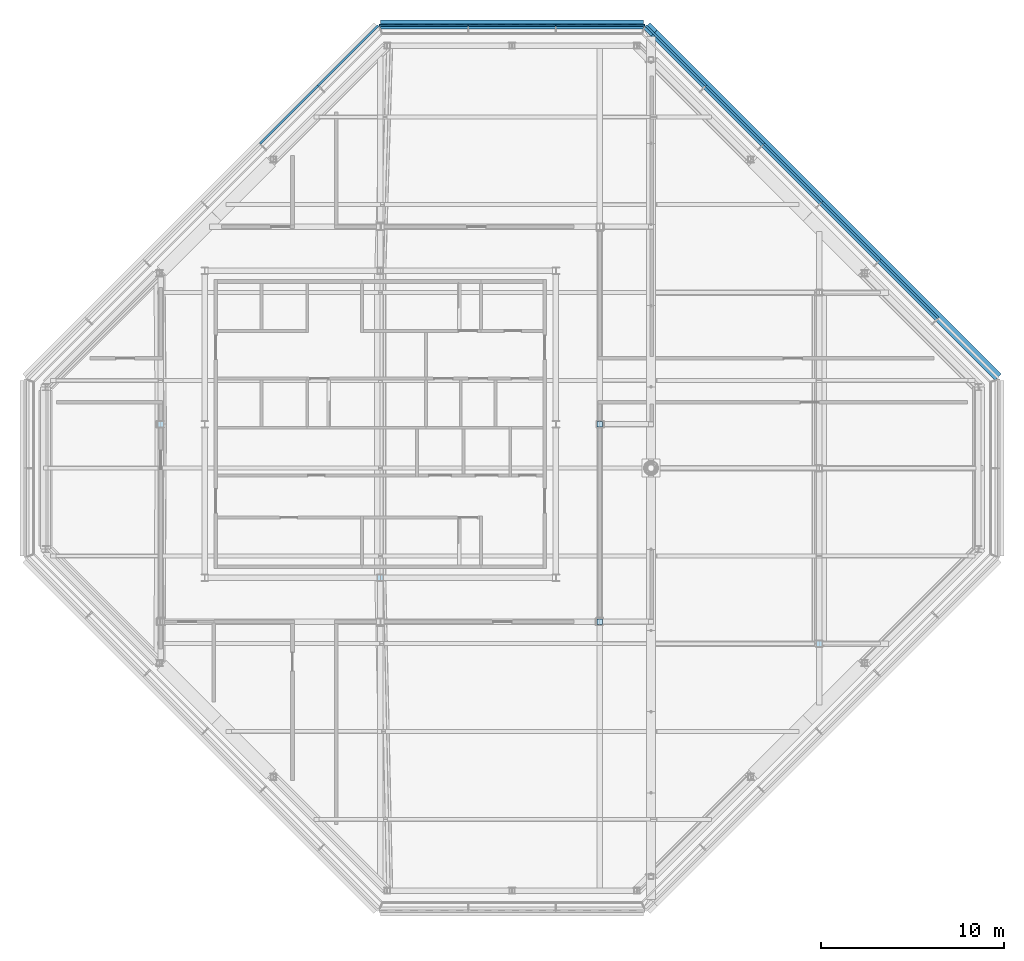
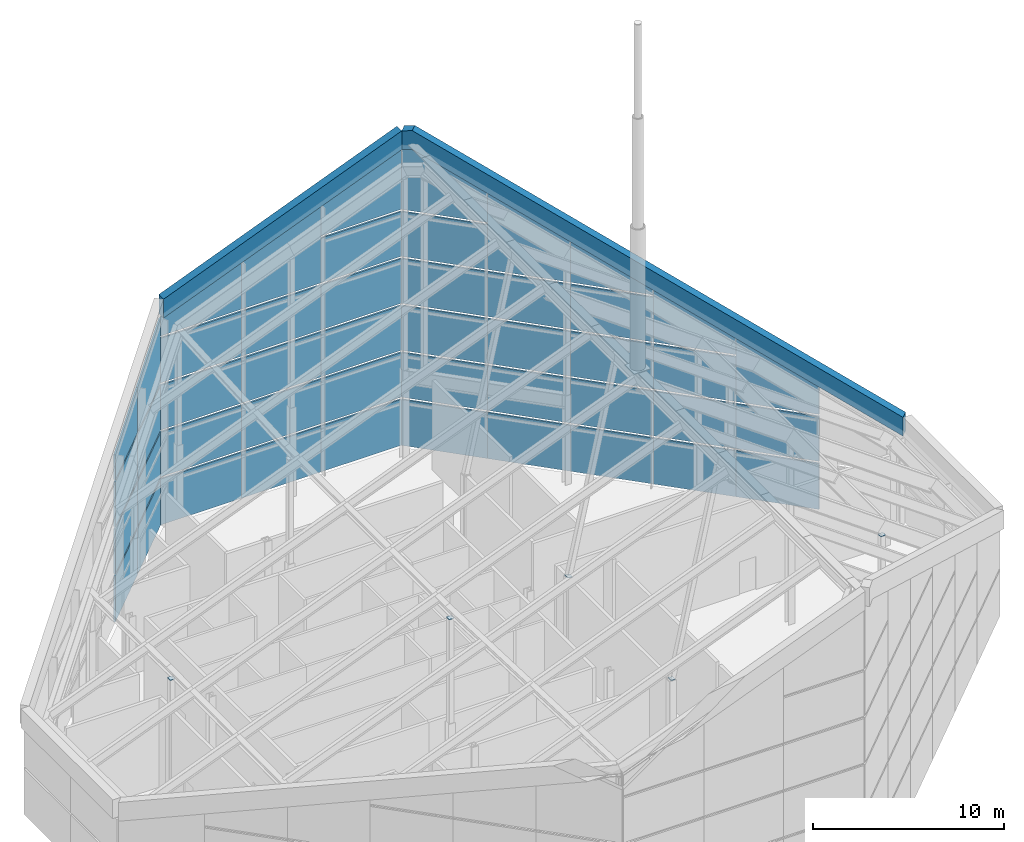
# One storey, part 15 of 21: 54 plates, 3 elements without a shape of their own.
"""IFC4 building model written with IfcOpenShell, lengths in metres."""

from ifc_helpers import new_model, si_unit, direction, frame, origin, origin_2d, place, context, subcontext, project, spatial, polyline, rectangle, outline, extrude, material, layer, layer_set, material_profile, profile_set, type_object, element, aggregate, save


model = new_model("IFC4")

# Units and contexts
model_context = context("Model", 3, precision=1e-05, world=origin(), true_north=direction((0.0, 1.0)))
body_context = subcontext(model_context, "Body", "Model", "MODEL_VIEW")
ifc_project = project(units=[si_unit("LENGTHUNIT", "METRE"), si_unit("AREAUNIT", "SQUARE_METRE"), si_unit("VOLUMEUNIT", "CUBIC_METRE"), si_unit("PLANEANGLEUNIT", "RADIAN"), si_unit("MASSUNIT", "GRAM", prefix="KILO")], contexts=[model_context])

# Site, building, storey
site_placement = place(None, origin())
site = spatial("IfcSite", under=ifc_project, at=site_placement, CompositionType="ELEMENT")
building_placement = place(site_placement, origin())
building = spatial("IfcBuilding", under=site, at=building_placement, Name="Cairn Pilgrim Tower", CompositionType="ELEMENT")
storey_placement = place(building_placement, frame((0.0, 0.0, 295.800048828125)))
storey = spatial("IfcBuildingStorey", under=building, at=storey_placement, Name="L76", CompositionType="ELEMENT", Elevation=295.800048828125)

# Plates
ifc_material_1 = material(Name="Bronze anodised aluminium", Category="aluminium")
ifc_layer_1 = layer(ifc_material_1, 0.5)
ifc_layer_set_1 = layer_set([ifc_layer_1], Name="EAVES FASCIA 500x1200 BRONZE")
plate_type_1 = type_object("IfcPlateType", Name="EAVES FASCIA 500x1200 BRONZE", PredefinedType="SHEET", material=ifc_layer_set_1)
plate_1_placement = place(storey_placement, frame((40.976806640625, 4.976806640625, 5.630615234375), z_axis=(0.0, 0.0, 1.0), x_axis=(-0.707106781187, 0.707106781187, 0.0)))
element("IfcPlate", 1, at=plate_1_placement, inside=storey, type_object=plate_type_1, Name="Eaves fascia EF-4", PredefinedType="SHEET", context=body_context, shape_type="SweptSolid", body=[
    extrude(outline(polyline([(0.0, 0.0), (26.587158203125, 13.5), (27.15283203125, 13.3876953125), (27.15283203125, 14.587646484375), (26.587158203125, 14.699951171875), (0.0, 1.199951171875), (0.0, 0.0)])), frame((0.0, 0.25, 0.0), z_axis=(0.0, -1.0, 0.0), x_axis=(1.0, 0.0, 0.0)), (0.0, 0.0, 1.0), 0.5),
])
plate_2_placement = place(storey_placement, frame((21.60009765625, 24.25, 13.300537109375), z_axis=(0.0, 0.0, 1.0), x_axis=(-1.0, 0.0, 0.0)))
element("IfcPlate", 2, at=plate_2_placement, inside=storey, type_object=plate_type_1, Name="Eaves fascia EF-5", PredefinedType="SHEET", context=body_context, shape_type="SweptSolid", body=[
    extrude(outline(polyline([(0.0, 5.7177734375), (14.39990234375, 0.0), (14.39990234375, 1.2001953125), (0.0, 6.917724609375), (0.0, 5.7177734375)])), frame((0.0, 0.25, 0.0), z_axis=(0.0, -1.0, 0.0), x_axis=(1.0, 0.0, 0.0)), (0.0, 0.0, 1.0), 0.5),
])
ifc_material_2 = material(Name="Structural steel S460M", Category="steel")
ifc_material_profile = material_profile(ifc_material_2, rectangle(XDim=0.300048828125, YDim=0.300048828125, at=origin_2d()), Name="END PLATE CROWN POST RHS 300x300x16")
ifc_profile_set = profile_set([ifc_material_profile], Name="Structural steel S460M")
plate_type_2 = type_object("IfcPlateType", Name="END PLATE CROWN POST RHS 300x300x16", PredefinedType="SHEET", material=ifc_profile_set)
for number, where, z_axis, x_axis, name in (
    (3, (-4.800048828125, 2.39990234375, 7.567626953125), (0.0, 0.0, 1.0), (1.0, 0.0, 0.0), "EP-CP1"),
    (4, (7.199951171875, -6.0, 12.332275390625), (0.0, 0.0, 1.0), (1.0, 0.0, 0.0), "EP-CP1"),
    (5, (31.199951171875, -9.60009765625, 11.416259765625), (0.0, 0.0, 1.0), (1.0, 0.0, 0.0), "EP-CP1"),
    (6, (19.20703125, -8.39990234375, 5.731689453125), (-0.213696878805, 0.0, -0.976900017396), (0.0, -1.0, 0.0), "EP-CP1"),
    (7, (19.20703125, 2.39990234375, 5.731689453125), (-0.213696878805, 0.0, -0.976900017396), (0.0, -1.0, 0.0), "EP-CP1"),
):
    element("IfcPlate", number, at=place(storey_placement, frame(where, z_axis=z_axis, x_axis=x_axis)), inside=storey, type_object=plate_type_2, Name=name, PredefinedType="SHEET", context=body_context, shape_type="SweptSolid", body=[
        extrude(rectangle(XDim=0.300048828125, YDim=0.300048828125, at=origin_2d()), origin(), (0.0, 0.0, 1.0), 0.0400390625),
    ])

# Curtain wall, plates
ifc_material_3 = material(Name="Aluminium alloy 6063-T6 bronze anodised with Bronze tinted laminated low-E glass 8+16+8.8", Category="aluminium")
curtain_wall_type = type_object("IfcCurtainWallType", Name="CROWN LOUVRE CURTAIN WALL", PredefinedType="NOTDEFINED", material=ifc_material_3)
curtain_wall_1_placement = place(storey_placement, origin())
curtain_wall_1 = element("IfcCurtainWall", 8, at=curtain_wall_1_placement, inside=storey, type_object=curtain_wall_type, Name="Crown Louvre Curtain Wall NE", PredefinedType="NOTDEFINED")
ifc_material_4 = material(Name="Bronze anodised aluminium louvre blades", Category="aluminium")
ifc_layer_2 = layer(ifc_material_4, 0.10009765625)
ifc_layer_set_2 = layer_set([ifc_layer_2], Name="LOUVRE PANEL 4491 RAKING")
plate_type_3 = type_object("IfcPlateType", Name="LOUVRE PANEL 4491 RAKING", PredefinedType="CURTAIN_PANEL", material=ifc_layer_set_2)
plate_3_placement = place(storey_placement, frame((37.706787109375, 8.204345703125, 6.074951171875), z_axis=(0.0, 0.0, 1.0), x_axis=(-0.707106781187, 0.707106781187, 0.0)))
plate_3 = element("IfcPlate", 9, at=plate_3_placement, type_object=plate_type_3, Name="Louvre panel NE2-3", PredefinedType="CURTAIN_PANEL", context=body_context, shape_type="SweptSolid", body=[
    extrude(outline(polyline([(0.0, 0.0), (4.490966796875, 0.0), (4.490966796875, 4.03173828125), (3.849365234375, 3.7060546875), (3.207763671875, 3.38037109375), (2.56640625, 3.0546875), (1.9248046875, 2.728759765625), (1.283203125, 2.403076171875), (0.6416015625, 2.077392578125), (0.0, 1.75146484375), (0.0, 0.0)])), frame((0.0, 0.050048828125, 0.0), z_axis=(0.0, -1.0, 0.0), x_axis=(1.0, 0.0, 0.0)), (0.0, 0.0, 1.0), 0.10009765625),
])
plate_4_placement = place(storey_placement, frame((34.53125, 11.3798828125, 9.074951171875), z_axis=(0.0, 0.0, 1.0), x_axis=(-0.707106781187, 0.707106781187, 0.0)))
plate_4 = element("IfcPlate", 10, at=plate_4_placement, type_object=plate_type_3, Name="Louvre panel NE3-4", PredefinedType="CURTAIN_PANEL", context=body_context, shape_type="SweptSolid", body=[
    extrude(outline(polyline([(0.0, 0.0), (4.4912109375, 0.0), (4.490966796875, 3.312255859375), (3.849365234375, 2.986328125), (3.207763671875, 2.66064453125), (2.56640625, 2.3349609375), (1.9248046875, 2.009033203125), (1.283203125, 1.683349609375), (0.6416015625, 1.357666015625), (0.0, 1.03173828125), (0.0, 0.0)])), frame((0.0, 0.050048828125, 0.0), z_axis=(0.0, -1.0, 0.0), x_axis=(1.0, 0.0, 0.0)), (0.0, 0.0, 1.0), 0.10009765625),
])
plate_5_placement = place(storey_placement, frame((31.35546875, 14.5556640625, 12.074951171875), z_axis=(0.0, 0.0, 1.0), x_axis=(-0.707106781187, 0.707106781187, 0.0)))
plate_5 = element("IfcPlate", 11, at=plate_5_placement, type_object=plate_type_3, Name="Louvre panel NE4-5", PredefinedType="CURTAIN_PANEL", context=body_context, shape_type="SweptSolid", body=[
    extrude(outline(polyline([(0.0, 0.0), (4.490966796875, 0.0), (4.490966796875, 2.592529296875), (3.849365234375, 2.266845703125), (3.207763671875, 1.94091796875), (2.56640625, 1.615234375), (1.9248046875, 1.28955078125), (1.283203125, 0.963623046875), (0.6416015625, 0.637939453125), (0.0, 0.312255859375), (0.0, 0.0)])), frame((0.0, 0.050048828125, 0.0), z_axis=(0.0, -1.0, 0.0), x_axis=(1.0, 0.0, 0.0)), (0.0, 0.0, 1.0), 0.10009765625),
])
plate_6_placement = place(storey_placement, frame((28.179931640625, 17.731201171875, 12.074951171875), z_axis=(0.0, 0.0, 1.0), x_axis=(-0.707106781187, 0.707106781187, 0.0)))
plate_6 = element("IfcPlate", 12, at=plate_6_placement, type_object=plate_type_3, Name="Louvre panel NE5-5", PredefinedType="CURTAIN_PANEL", context=body_context, shape_type="SweptSolid", body=[
    extrude(outline(polyline([(0.0, 0.0), (4.490966796875, 0.0), (4.490966796875, 4.872802734375), (3.849365234375, 4.547119140625), (3.207763671875, 4.221435546875), (2.56640625, 3.8955078125), (1.9248046875, 3.56982421875), (1.283203125, 3.244140625), (0.6416015625, 2.918212890625), (0.0, 2.592529296875), (0.0, 0.0)])), frame((0.0, 0.050048828125, 0.0), z_axis=(0.0, -1.0, 0.0), x_axis=(1.0, 0.0, 0.0)), (0.0, 0.0, 1.0), 0.10009765625),
])

# Curtain wall, plate
curtain_wall_2_placement = place(storey_placement, origin())
curtain_wall_2 = element("IfcCurtainWall", 13, at=curtain_wall_2_placement, inside=storey, type_object=curtain_wall_type, Name="Crown Louvre Curtain Wall NW", PredefinedType="NOTDEFINED")
plate_7_placement = place(storey_placement, frame((3.795654296875, 20.90673828125, 9.074951171875), z_axis=(0.0, 0.0, 1.0), x_axis=(-0.707106781187, -0.707106781187, 0.0)))
plate_7 = element("IfcPlate", 14, at=plate_7_placement, type_object=plate_type_3, Name="Louvre panel NW2-4", PredefinedType="CURTAIN_PANEL", context=body_context, shape_type="SweptSolid", body=[
    extrude(outline(polyline([(0.0, 0.0), (4.490966796875, 0.0), (4.490966796875, 1.59912109375), (3.849365234375, 1.779296875), (3.207763671875, 1.959228515625), (2.56640625, 2.139404296875), (1.9248046875, 2.319580078125), (1.283203125, 2.499755859375), (0.6416015625, 2.679931640625), (0.0, 2.85986328125), (0.0, 0.0)])), frame((0.0, 0.050048828125, 0.0), z_axis=(0.0, -1.0, 0.0), x_axis=(1.0, 0.0, 0.0)), (0.0, 0.0, 1.0), 0.10009765625),
])

# Plate
ifc_layer_3 = layer(ifc_material_4, 0.10009765625)
ifc_layer_set_3 = layer_set([ifc_layer_3], Name="LOUVRE PANEL 4491x2850")
plate_type_4 = type_object("IfcPlateType", Name="LOUVRE PANEL 4491x2850", PredefinedType="CURTAIN_PANEL", material=ifc_layer_set_3)
plate_8_placement = place(storey_placement, frame((36.118896484375, 9.792236328125, 3.074951171875), z_axis=(0.0, 0.0, 1.0), x_axis=(-0.707106781187, 0.707106781187, 0.0)))
plate_8 = element("IfcPlate", 15, at=plate_8_placement, type_object=plate_type_4, Name="Louvre Panel NE2-2", PredefinedType="CURTAIN_PANEL", context=body_context, shape_type="SweptSolid", body=[
    extrude(rectangle(XDim=4.490966796875, YDim=0.10009765625, at=origin_2d()), origin(), (0.0, 0.0, 1.0), 2.85009765625),
])

plate_9_placement = place(storey_placement, frame((32.943359375, 12.9677734375, 3.074951171875), z_axis=(0.0, 0.0, 1.0), x_axis=(-0.707106781187, 0.707106781187, 0.0)))
plate_9 = element("IfcPlate", 16, at=plate_9_placement, type_object=plate_type_4, Name="Louvre Panel NE3-2", PredefinedType="CURTAIN_PANEL", context=body_context, shape_type="SweptSolid", body=[
    extrude(rectangle(XDim=4.490966796875, YDim=0.10009765625, at=origin_2d()), origin(), (0.0, 0.0, 1.0), 2.85009765625),
])

plate_10_placement = place(storey_placement, frame((32.943359375, 12.9677734375, 6.074951171875), z_axis=(0.0, 0.0, 1.0), x_axis=(-0.707106781187, 0.707106781187, 0.0)))
plate_10 = element("IfcPlate", 17, at=plate_10_placement, type_object=plate_type_4, Name="Louvre Panel NE3-3", PredefinedType="CURTAIN_PANEL", context=body_context, shape_type="SweptSolid", body=[
    extrude(rectangle(XDim=4.490966796875, YDim=0.10009765625, at=origin_2d()), origin(), (0.0, 0.0, 1.0), 2.85009765625),
])

plate_11_placement = place(storey_placement, frame((29.767822265625, 16.143310546875, 3.074951171875), z_axis=(0.0, 0.0, 1.0), x_axis=(-0.707106781187, 0.707106781187, 0.0)))
plate_11 = element("IfcPlate", 18, at=plate_11_placement, type_object=plate_type_4, Name="Louvre Panel NE4-2", PredefinedType="CURTAIN_PANEL", context=body_context, shape_type="SweptSolid", body=[
    extrude(rectangle(XDim=4.490966796875, YDim=0.10009765625, at=origin_2d()), origin(), (0.0, 0.0, 1.0), 2.85009765625),
])

plate_12_placement = place(storey_placement, frame((29.767822265625, 16.143310546875, 6.074951171875), z_axis=(0.0, 0.0, 1.0), x_axis=(-0.707106781187, 0.707106781187, 0.0)))
plate_12 = element("IfcPlate", 19, at=plate_12_placement, type_object=plate_type_4, Name="Louvre Panel NE4-3", PredefinedType="CURTAIN_PANEL", context=body_context, shape_type="SweptSolid", body=[
    extrude(rectangle(XDim=4.490966796875, YDim=0.10009765625, at=origin_2d()), origin(), (0.0, 0.0, 1.0), 2.85009765625),
])

plate_13_placement = place(storey_placement, frame((29.767822265625, 16.143310546875, 9.074951171875), z_axis=(0.0, 0.0, 1.0), x_axis=(-0.707106781187, 0.707106781187, 0.0)))
plate_13 = element("IfcPlate", 20, at=plate_13_placement, type_object=plate_type_4, Name="Louvre Panel NE4-4", PredefinedType="CURTAIN_PANEL", context=body_context, shape_type="SweptSolid", body=[
    extrude(rectangle(XDim=4.490966796875, YDim=0.10009765625, at=origin_2d()), origin(), (0.0, 0.0, 1.0), 2.85009765625),
])

plate_14_placement = place(storey_placement, frame((26.59228515625, 19.31884765625, 3.074951171875), z_axis=(0.0, 0.0, 1.0), x_axis=(-0.707106781187, 0.707106781187, 0.0)))
plate_14 = element("IfcPlate", 21, at=plate_14_placement, type_object=plate_type_4, Name="Louvre Panel NE5-2", PredefinedType="CURTAIN_PANEL", context=body_context, shape_type="SweptSolid", body=[
    extrude(rectangle(XDim=4.490966796875, YDim=0.10009765625, at=origin_2d()), origin(), (0.0, 0.0, 1.0), 2.85009765625),
])

plate_15_placement = place(storey_placement, frame((26.59228515625, 19.31884765625, 6.074951171875), z_axis=(0.0, 0.0, 1.0), x_axis=(-0.707106781187, 0.707106781187, 0.0)))
plate_15 = element("IfcPlate", 22, at=plate_15_placement, type_object=plate_type_4, Name="Louvre Panel NE5-3", PredefinedType="CURTAIN_PANEL", context=body_context, shape_type="SweptSolid", body=[
    extrude(rectangle(XDim=4.490966796875, YDim=0.10009765625, at=origin_2d()), origin(), (0.0, 0.0, 1.0), 2.85009765625),
])

plate_16_placement = place(storey_placement, frame((26.59228515625, 19.31884765625, 9.074951171875), z_axis=(0.0, 0.0, 1.0), x_axis=(-0.707106781187, 0.707106781187, 0.0)))
plate_16 = element("IfcPlate", 23, at=plate_16_placement, type_object=plate_type_4, Name="Louvre Panel NE5-4", PredefinedType="CURTAIN_PANEL", context=body_context, shape_type="SweptSolid", body=[
    extrude(rectangle(XDim=4.490966796875, YDim=0.10009765625, at=origin_2d()), origin(), (0.0, 0.0, 1.0), 2.85009765625),
])

plate_17_placement = place(storey_placement, frame((2.207763671875, 19.31884765625, 3.074951171875), z_axis=(0.0, 0.0, 1.0), x_axis=(-0.707106781187, -0.707106781187, 0.0)))
plate_17 = element("IfcPlate", 24, at=plate_17_placement, type_object=plate_type_4, Name="Louvre Panel NW2-2", PredefinedType="CURTAIN_PANEL", context=body_context, shape_type="SweptSolid", body=[
    extrude(rectangle(XDim=4.490966796875, YDim=0.10009765625, at=origin_2d()), origin(), (0.0, 0.0, 1.0), 2.85009765625),
])

plate_18_placement = place(storey_placement, frame((2.207763671875, 19.31884765625, 6.074951171875), z_axis=(0.0, 0.0, 1.0), x_axis=(-0.707106781187, -0.707106781187, 0.0)))
plate_18 = element("IfcPlate", 25, at=plate_18_placement, type_object=plate_type_4, Name="Louvre Panel NW2-3", PredefinedType="CURTAIN_PANEL", context=body_context, shape_type="SweptSolid", body=[
    extrude(rectangle(XDim=4.490966796875, YDim=0.10009765625, at=origin_2d()), origin(), (0.0, 0.0, 1.0), 2.85009765625),
])

ifc_layer_4 = layer(ifc_material_4, 0.10009765625)
ifc_layer_set_4 = layer_set([ifc_layer_4], Name="LOUVRE PANEL 4491x2925")
plate_type_5 = type_object("IfcPlateType", Name="LOUVRE PANEL 4491x2925", PredefinedType="CURTAIN_PANEL", material=ifc_layer_set_4)
plate_19_placement = place(storey_placement, frame((36.118896484375, 9.792236328125, 0.0), z_axis=(0.0, 0.0, 1.0), x_axis=(-0.707106781187, 0.707106781187, 0.0)))
plate_19 = element("IfcPlate", 26, at=plate_19_placement, type_object=plate_type_5, Name="Louvre Panel NE2-1", PredefinedType="CURTAIN_PANEL", context=body_context, shape_type="SweptSolid", body=[
    extrude(rectangle(XDim=4.490966796875, YDim=0.10009765625, at=origin_2d()), origin(), (0.0, 0.0, 1.0), 2.925048828125),
])

plate_20_placement = place(storey_placement, frame((32.943359375, 12.9677734375, 0.0), z_axis=(0.0, 0.0, 1.0), x_axis=(-0.707106781187, 0.707106781187, 0.0)))
plate_20 = element("IfcPlate", 27, at=plate_20_placement, type_object=plate_type_5, Name="Louvre Panel NE3-1", PredefinedType="CURTAIN_PANEL", context=body_context, shape_type="SweptSolid", body=[
    extrude(rectangle(XDim=4.490966796875, YDim=0.10009765625, at=origin_2d()), origin(), (0.0, 0.0, 1.0), 2.925048828125),
])

plate_21_placement = place(storey_placement, frame((29.767822265625, 16.143310546875, 0.0), z_axis=(0.0, 0.0, 1.0), x_axis=(-0.707106781187, 0.707106781187, 0.0)))
plate_21 = element("IfcPlate", 28, at=plate_21_placement, type_object=plate_type_5, Name="Louvre Panel NE4-1", PredefinedType="CURTAIN_PANEL", context=body_context, shape_type="SweptSolid", body=[
    extrude(rectangle(XDim=4.490966796875, YDim=0.10009765625, at=origin_2d()), origin(), (0.0, 0.0, 1.0), 2.925048828125),
])

plate_22_placement = place(storey_placement, frame((26.59228515625, 19.31884765625, 0.0), z_axis=(0.0, 0.0, 1.0), x_axis=(-0.707106781187, 0.707106781187, 0.0)))
plate_22 = element("IfcPlate", 29, at=plate_22_placement, type_object=plate_type_5, Name="Louvre Panel NE5-1", PredefinedType="CURTAIN_PANEL", context=body_context, shape_type="SweptSolid", body=[
    extrude(rectangle(XDim=4.490966796875, YDim=0.10009765625, at=origin_2d()), origin(), (0.0, 0.0, 1.0), 2.925048828125),
])

plate_23_placement = place(storey_placement, frame((2.207763671875, 19.31884765625, 0.0), z_axis=(0.0, 0.0, 1.0), x_axis=(-0.707106781187, -0.707106781187, 0.0)))
plate_23 = element("IfcPlate", 30, at=plate_23_placement, type_object=plate_type_5, Name="Louvre Panel NW2-1", PredefinedType="CURTAIN_PANEL", context=body_context, shape_type="SweptSolid", body=[
    extrude(rectangle(XDim=4.490966796875, YDim=0.10009765625, at=origin_2d()), origin(), (0.0, 0.0, 1.0), 2.925048828125),
])

ifc_layer_5 = layer(ifc_material_4, 0.10009765625)
ifc_layer_set_5 = layer_set([ifc_layer_5], Name="LOUVRE PANEL 4665 RAKING")
plate_type_6 = type_object("IfcPlateType", Name="LOUVRE PANEL 4665 RAKING", PredefinedType="CURTAIN_PANEL", material=ifc_layer_set_5)
plate_24_placement = place(storey_placement, frame((25.00439453125, 20.90673828125, 15.074951171875), z_axis=(0.0, 0.0, 1.0), x_axis=(-0.707106781187, 0.707106781187, 0.0)))
plate_24 = element("IfcPlate", 31, at=plate_24_placement, type_object=plate_type_6, Name="Louvre panel NE6-6", PredefinedType="CURTAIN_PANEL", context=body_context, shape_type="SweptSolid", body=[
    extrude(outline(polyline([(0.0, 0.0), (4.664794921875, 0.0), (4.664794921875, 3.971435546875), (3.99853515625, 3.903076171875), (3.33203125, 3.564697265625), (2.665771484375, 3.226318359375), (1.999267578125, 2.887939453125), (1.332763671875, 2.549560546875), (0.66650390625, 2.211181640625), (0.0, 1.872802734375), (0.0, 0.0)])), frame((0.0, 0.050048828125, 0.0), z_axis=(0.0, -1.0, 0.0), x_axis=(1.0, 0.0, 0.0)), (0.0, 0.0, 1.0), 0.10009765625),
])

plate_25_placement = place(storey_placement, frame((7.09423828125, 24.205322265625, 9.074951171875), z_axis=(0.0, 0.0, 1.0), x_axis=(-0.707106781187, -0.707106781187, 0.0)))
plate_25 = element("IfcPlate", 32, at=plate_25_placement, type_object=plate_type_6, Name="Louvre panel NW1-4", PredefinedType="CURTAIN_PANEL", context=body_context, shape_type="SweptSolid", body=[
    extrude(outline(polyline([(0.0, 0.0), (4.664794921875, 0.0), (4.664794921875, 2.85986328125), (3.99853515625, 3.047119140625), (3.33203125, 3.234130859375), (2.665771484375, 3.42138671875), (1.999267578125, 3.6083984375), (1.332763671875, 3.79541015625), (0.66650390625, 3.982666015625), (0.0, 4.169677734375), (0.0, 0.0)])), frame((0.0, 0.050048828125, 0.0), z_axis=(0.0, -1.0, 0.0), x_axis=(1.0, 0.0, 0.0)), (0.0, 0.0, 1.0), 0.10009765625),
])

ifc_layer_6 = layer(ifc_material_4, 0.10009765625)
ifc_layer_set_6 = layer_set([ifc_layer_6], Name="LOUVRE PANEL 4665x2850")
plate_type_7 = type_object("IfcPlateType", Name="LOUVRE PANEL 4665x2850", PredefinedType="CURTAIN_PANEL", material=ifc_layer_set_6)
plate_26_placement = place(storey_placement, frame((23.35498046875, 22.55615234375, 3.074951171875), z_axis=(0.0, 0.0, 1.0), x_axis=(-0.707106781187, 0.707106781187, 0.0)))
plate_26 = element("IfcPlate", 33, at=plate_26_placement, type_object=plate_type_7, Name="Louvre Panel NE6-2", PredefinedType="CURTAIN_PANEL", context=body_context, shape_type="SweptSolid", body=[
    extrude(rectangle(XDim=4.6650390625, YDim=0.10009765625, at=origin_2d()), origin(), (0.0, 0.0, 1.0), 2.85009765625),
])

plate_27_placement = place(storey_placement, frame((23.35498046875, 22.55615234375, 6.074951171875), z_axis=(0.0, 0.0, 1.0), x_axis=(-0.707106781187, 0.707106781187, 0.0)))
plate_27 = element("IfcPlate", 34, at=plate_27_placement, type_object=plate_type_7, Name="Louvre Panel NE6-3", PredefinedType="CURTAIN_PANEL", context=body_context, shape_type="SweptSolid", body=[
    extrude(rectangle(XDim=4.6650390625, YDim=0.10009765625, at=origin_2d()), origin(), (0.0, 0.0, 1.0), 2.85009765625),
])

plate_28_placement = place(storey_placement, frame((23.35498046875, 22.55615234375, 9.074951171875), z_axis=(0.0, 0.0, 1.0), x_axis=(-0.707106781187, 0.707106781187, 0.0)))
plate_28 = element("IfcPlate", 35, at=plate_28_placement, type_object=plate_type_7, Name="Louvre Panel NE6-4", PredefinedType="CURTAIN_PANEL", context=body_context, shape_type="SweptSolid", body=[
    extrude(rectangle(XDim=4.6650390625, YDim=0.10009765625, at=origin_2d()), origin(), (0.0, 0.0, 1.0), 2.85009765625),
])

plate_29_placement = place(storey_placement, frame((23.35498046875, 22.55615234375, 12.074951171875), z_axis=(0.0, 0.0, 1.0), x_axis=(-0.707106781187, 0.707106781187, 0.0)))
plate_29 = element("IfcPlate", 36, at=plate_29_placement, type_object=plate_type_7, Name="Louvre Panel NE6-5", PredefinedType="CURTAIN_PANEL", context=body_context, shape_type="SweptSolid", body=[
    extrude(rectangle(XDim=4.6650390625, YDim=0.10009765625, at=origin_2d()), origin(), (0.0, 0.0, 1.0), 2.85009765625),
])

plate_30_placement = place(storey_placement, frame((5.44482421875, 22.55615234375, 3.074951171875), z_axis=(0.0, 0.0, 1.0), x_axis=(-0.707106781187, -0.707106781187, 0.0)))
plate_30 = element("IfcPlate", 37, at=plate_30_placement, type_object=plate_type_7, Name="Louvre Panel NW1-2", PredefinedType="CURTAIN_PANEL", context=body_context, shape_type="SweptSolid", body=[
    extrude(rectangle(XDim=4.6650390625, YDim=0.10009765625, at=origin_2d()), origin(), (0.0, 0.0, 1.0), 2.85009765625),
])

plate_31_placement = place(storey_placement, frame((5.44482421875, 22.55615234375, 6.074951171875), z_axis=(0.0, 0.0, 1.0), x_axis=(-0.707106781187, -0.707106781187, 0.0)))
plate_31 = element("IfcPlate", 38, at=plate_31_placement, type_object=plate_type_7, Name="Louvre Panel NW1-3", PredefinedType="CURTAIN_PANEL", context=body_context, shape_type="SweptSolid", body=[
    extrude(rectangle(XDim=4.6650390625, YDim=0.10009765625, at=origin_2d()), origin(), (0.0, 0.0, 1.0), 2.85009765625),
])

ifc_layer_7 = layer(ifc_material_4, 0.10009765625)
ifc_layer_set_7 = layer_set([ifc_layer_7], Name="LOUVRE PANEL 4665x2925")
plate_type_8 = type_object("IfcPlateType", Name="LOUVRE PANEL 4665x2925", PredefinedType="CURTAIN_PANEL", material=ifc_layer_set_7)
plate_32_placement = place(storey_placement, frame((23.35498046875, 22.55615234375, 0.0), z_axis=(0.0, 0.0, 1.0), x_axis=(-0.707106781187, 0.707106781187, 0.0)))
plate_32 = element("IfcPlate", 39, at=plate_32_placement, type_object=plate_type_8, Name="Louvre Panel NE6-1", PredefinedType="CURTAIN_PANEL", context=body_context, shape_type="SweptSolid", body=[
    extrude(rectangle(XDim=4.6650390625, YDim=0.10009765625, at=origin_2d()), origin(), (0.0, 0.0, 1.0), 2.925048828125),
])

aggregate(curtain_wall_1, [plate_19, plate_8, plate_3, plate_20, plate_9, plate_10, plate_4, plate_21, plate_11, plate_12, plate_13, plate_5, plate_22, plate_14, plate_15, plate_16, plate_6, plate_32, plate_26, plate_27, plate_28, plate_29, plate_24])

plate_33_placement = place(storey_placement, frame((5.44482421875, 22.55615234375, 0.0), z_axis=(0.0, 0.0, 1.0), x_axis=(-0.707106781187, -0.707106781187, 0.0)))
plate_33 = element("IfcPlate", 40, at=plate_33_placement, type_object=plate_type_8, Name="Louvre Panel NW1-1", PredefinedType="CURTAIN_PANEL", context=body_context, shape_type="SweptSolid", body=[
    extrude(rectangle(XDim=4.6650390625, YDim=0.10009765625, at=origin_2d()), origin(), (0.0, 0.0, 1.0), 2.925048828125),
])

aggregate(curtain_wall_2, [plate_33, plate_30, plate_31, plate_25, plate_23, plate_17, plate_18, plate_7])

# Curtain wall, plates
curtain_wall_3_placement = place(storey_placement, origin())
curtain_wall_3 = element("IfcCurtainWall", 41, at=curtain_wall_3_placement, inside=storey, type_object=curtain_wall_type, Name="Crown Louvre Curtain Wall N", PredefinedType="NOTDEFINED")
ifc_layer_8 = layer(ifc_material_4, 0.10009765625)
ifc_layer_set_8 = layer_set([ifc_layer_8], Name="LOUVRE PANEL 4800 RAKING")
plate_type_9 = type_object("IfcPlateType", Name="LOUVRE PANEL 4800 RAKING", PredefinedType="CURTAIN_PANEL", material=ifc_layer_set_8)
plate_34_placement = place(storey_placement, frame((16.800048828125, 24.219970703125, 12.074951171875), z_axis=(0.0, 0.0, 1.0), x_axis=(-1.0, 0.0, 0.0)))
plate_34 = element("IfcPlate", 42, at=plate_34_placement, type_object=plate_type_9, Name="Louvre panel N2-5", PredefinedType="CURTAIN_PANEL", context=body_context, shape_type="SweptSolid", body=[
    extrude(outline(polyline([(0.0, 0.0), (4.800048828125, 0.0), (4.800048828125, 3.131591796875), (4.1142578125, 3.40380859375), (3.4287109375, 3.67626953125), (2.742919921875, 3.948486328125), (2.05712890625, 4.220703125), (1.371337890625, 4.492919921875), (0.685791015625, 4.76513671875), (0.0, 5.03759765625), (0.0, 0.0)])), frame((0.0, 0.050048828125, 0.0), z_axis=(0.0, -1.0, 0.0), x_axis=(1.0, 0.0, 0.0)), (0.0, 0.0, 1.0), 0.10009765625),
])
ifc_layer_9 = layer(ifc_material_4, 0.10009765625)
ifc_layer_set_9 = layer_set([ifc_layer_9], Name="LOUVRE PANEL 4800x2850")
plate_type_10 = type_object("IfcPlateType", Name="LOUVRE PANEL 4800x2850", PredefinedType="CURTAIN_PANEL", material=ifc_layer_set_9)
plate_35_placement = place(storey_placement, frame((14.39990234375, 24.219970703125, 3.074951171875), z_axis=(0.0, 0.0, 1.0), x_axis=(-1.0, 0.0, 0.0)))
plate_35 = element("IfcPlate", 43, at=plate_35_placement, type_object=plate_type_10, Name="Louvre Panel N2-2", PredefinedType="CURTAIN_PANEL", context=body_context, shape_type="SweptSolid", body=[
    extrude(rectangle(XDim=4.800048828125, YDim=0.10009765625, at=origin_2d()), origin(), (0.0, 0.0, 1.0), 2.85009765625),
])
plate_36_placement = place(storey_placement, frame((14.39990234375, 24.219970703125, 6.074951171875), z_axis=(0.0, 0.0, 1.0), x_axis=(-1.0, 0.0, 0.0)))
plate_36 = element("IfcPlate", 44, at=plate_36_placement, type_object=plate_type_10, Name="Louvre Panel N2-3", PredefinedType="CURTAIN_PANEL", context=body_context, shape_type="SweptSolid", body=[
    extrude(rectangle(XDim=4.800048828125, YDim=0.10009765625, at=origin_2d()), origin(), (0.0, 0.0, 1.0), 2.85009765625),
])
plate_37_placement = place(storey_placement, frame((14.39990234375, 24.219970703125, 9.074951171875), z_axis=(0.0, 0.0, 1.0), x_axis=(-1.0, 0.0, 0.0)))
plate_37 = element("IfcPlate", 45, at=plate_37_placement, type_object=plate_type_10, Name="Louvre Panel N2-4", PredefinedType="CURTAIN_PANEL", context=body_context, shape_type="SweptSolid", body=[
    extrude(rectangle(XDim=4.800048828125, YDim=0.10009765625, at=origin_2d()), origin(), (0.0, 0.0, 1.0), 2.85009765625),
])
ifc_layer_10 = layer(ifc_material_4, 0.10009765625)
ifc_layer_set_10 = layer_set([ifc_layer_10], Name="LOUVRE PANEL 4800x2925")
plate_type_11 = type_object("IfcPlateType", Name="LOUVRE PANEL 4800x2925", PredefinedType="CURTAIN_PANEL", material=ifc_layer_set_10)
plate_38_placement = place(storey_placement, frame((14.39990234375, 24.219970703125, 0.0), z_axis=(0.0, 0.0, 1.0), x_axis=(-1.0, 0.0, 0.0)))
plate_38 = element("IfcPlate", 46, at=plate_38_placement, type_object=plate_type_11, Name="Louvre Panel N2-1", PredefinedType="CURTAIN_PANEL", context=body_context, shape_type="SweptSolid", body=[
    extrude(rectangle(XDim=4.800048828125, YDim=0.10009765625, at=origin_2d()), origin(), (0.0, 0.0, 1.0), 2.925048828125),
])
ifc_layer_11 = layer(ifc_material_4, 0.10009765625)
ifc_layer_set_11 = layer_set([ifc_layer_11], Name="LOUVRE PANEL 4870 RAKING")
plate_type_12 = type_object("IfcPlateType", Name="LOUVRE PANEL 4870 RAKING", PredefinedType="CURTAIN_PANEL", material=ifc_layer_set_11)
plate_39_placement = place(storey_placement, frame((21.67041015625, 24.219970703125, 15.074951171875), z_axis=(0.0, 0.0, 1.0), x_axis=(-1.0, 0.0, 0.0)))
plate_39 = element("IfcPlate", 47, at=plate_39_placement, type_object=plate_type_12, Name="Louvre panel N1-6", PredefinedType="CURTAIN_PANEL", context=body_context, shape_type="SweptSolid", body=[
    extrude(outline(polyline([(0.0, 0.0), (4.870361328125, 0.0), (4.870361328125, 2.03759765625), (4.26171875, 2.279296875), (3.65283203125, 2.52099609375), (3.0439453125, 2.7626953125), (2.435302734375, 3.00439453125), (1.826416015625, 3.24609375), (1.217529296875, 3.48779296875), (0.60888671875, 3.729736328125), (0.0, 3.971435546875), (0.0, 0.0)])), frame((0.0, 0.050048828125, 0.0), z_axis=(0.0, -1.0, 0.0), x_axis=(1.0, 0.0, 0.0)), (0.0, 0.0, 1.0), 0.10009765625),
])
plate_40_placement = place(storey_placement, frame((12.0, 24.219970703125, 12.074951171875), z_axis=(0.0, 0.0, 1.0), x_axis=(-1.0, 0.0, 0.0)))
plate_40 = element("IfcPlate", 48, at=plate_40_placement, type_object=plate_type_12, Name="Louvre panel N3-5", PredefinedType="CURTAIN_PANEL", context=body_context, shape_type="SweptSolid", body=[
    extrude(outline(polyline([(0.0, 0.0), (4.870361328125, 0.0), (4.870361328125, 1.19775390625), (4.26171875, 1.439453125), (3.65283203125, 1.68115234375), (3.0439453125, 1.923095703125), (2.435302734375, 2.164794921875), (1.826416015625, 2.406494140625), (1.217529296875, 2.648193359375), (0.60888671875, 2.889892578125), (0.0, 3.131591796875), (0.0, 0.0)])), frame((0.0, 0.050048828125, 0.0), z_axis=(0.0, -1.0, 0.0), x_axis=(1.0, 0.0, 0.0)), (0.0, 0.0, 1.0), 0.10009765625),
])
ifc_layer_12 = layer(ifc_material_4, 0.10009765625)
ifc_layer_set_12 = layer_set([ifc_layer_12], Name="LOUVRE PANEL 4870x2850")
plate_type_13 = type_object("IfcPlateType", Name="LOUVRE PANEL 4870x2850", PredefinedType="CURTAIN_PANEL", material=ifc_layer_set_12)
plate_41_placement = place(storey_placement, frame((19.235107421875, 24.219970703125, 3.074951171875), z_axis=(0.0, 0.0, 1.0), x_axis=(-1.0, 0.0, 0.0)))
plate_41 = element("IfcPlate", 49, at=plate_41_placement, type_object=plate_type_13, Name="Louvre Panel N1-2", PredefinedType="CURTAIN_PANEL", context=body_context, shape_type="SweptSolid", body=[
    extrude(rectangle(XDim=4.870361328125, YDim=0.10009765625, at=origin_2d()), origin(), (0.0, 0.0, 1.0), 2.85009765625),
])
plate_42_placement = place(storey_placement, frame((19.235107421875, 24.219970703125, 6.074951171875), z_axis=(0.0, 0.0, 1.0), x_axis=(-1.0, 0.0, 0.0)))
plate_42 = element("IfcPlate", 50, at=plate_42_placement, type_object=plate_type_13, Name="Louvre Panel N1-3", PredefinedType="CURTAIN_PANEL", context=body_context, shape_type="SweptSolid", body=[
    extrude(rectangle(XDim=4.870361328125, YDim=0.10009765625, at=origin_2d()), origin(), (0.0, 0.0, 1.0), 2.85009765625),
])
plate_43_placement = place(storey_placement, frame((19.235107421875, 24.219970703125, 9.074951171875), z_axis=(0.0, 0.0, 1.0), x_axis=(-1.0, 0.0, 0.0)))
plate_43 = element("IfcPlate", 51, at=plate_43_placement, type_object=plate_type_13, Name="Louvre Panel N1-4", PredefinedType="CURTAIN_PANEL", context=body_context, shape_type="SweptSolid", body=[
    extrude(rectangle(XDim=4.870361328125, YDim=0.10009765625, at=origin_2d()), origin(), (0.0, 0.0, 1.0), 2.85009765625),
])
plate_44_placement = place(storey_placement, frame((19.235107421875, 24.219970703125, 12.074951171875), z_axis=(0.0, 0.0, 1.0), x_axis=(-1.0, 0.0, 0.0)))
plate_44 = element("IfcPlate", 52, at=plate_44_placement, type_object=plate_type_13, Name="Louvre Panel N1-5", PredefinedType="CURTAIN_PANEL", context=body_context, shape_type="SweptSolid", body=[
    extrude(rectangle(XDim=4.870361328125, YDim=0.10009765625, at=origin_2d()), origin(), (0.0, 0.0, 1.0), 2.85009765625),
])
plate_45_placement = place(storey_placement, frame((9.564697265625, 24.219970703125, 3.074951171875), z_axis=(0.0, 0.0, 1.0), x_axis=(-1.0, 0.0, 0.0)))
plate_45 = element("IfcPlate", 53, at=plate_45_placement, type_object=plate_type_13, Name="Louvre Panel N3-2", PredefinedType="CURTAIN_PANEL", context=body_context, shape_type="SweptSolid", body=[
    extrude(rectangle(XDim=4.870361328125, YDim=0.10009765625, at=origin_2d()), origin(), (0.0, 0.0, 1.0), 2.85009765625),
])
plate_46_placement = place(storey_placement, frame((9.564697265625, 24.219970703125, 6.074951171875), z_axis=(0.0, 0.0, 1.0), x_axis=(-1.0, 0.0, 0.0)))
plate_46 = element("IfcPlate", 54, at=plate_46_placement, type_object=plate_type_13, Name="Louvre Panel N3-3", PredefinedType="CURTAIN_PANEL", context=body_context, shape_type="SweptSolid", body=[
    extrude(rectangle(XDim=4.870361328125, YDim=0.10009765625, at=origin_2d()), origin(), (0.0, 0.0, 1.0), 2.85009765625),
])
plate_47_placement = place(storey_placement, frame((9.564697265625, 24.219970703125, 9.074951171875), z_axis=(0.0, 0.0, 1.0), x_axis=(-1.0, 0.0, 0.0)))
plate_47 = element("IfcPlate", 55, at=plate_47_placement, type_object=plate_type_13, Name="Louvre Panel N3-4", PredefinedType="CURTAIN_PANEL", context=body_context, shape_type="SweptSolid", body=[
    extrude(rectangle(XDim=4.870361328125, YDim=0.10009765625, at=origin_2d()), origin(), (0.0, 0.0, 1.0), 2.85009765625),
])
ifc_layer_13 = layer(ifc_material_4, 0.10009765625)
ifc_layer_set_13 = layer_set([ifc_layer_13], Name="LOUVRE PANEL 4870x2925")
plate_type_14 = type_object("IfcPlateType", Name="LOUVRE PANEL 4870x2925", PredefinedType="CURTAIN_PANEL", material=ifc_layer_set_13)
plate_48_placement = place(storey_placement, frame((19.235107421875, 24.219970703125, 0.0), z_axis=(0.0, 0.0, 1.0), x_axis=(-1.0, 0.0, 0.0)))
plate_48 = element("IfcPlate", 56, at=plate_48_placement, type_object=plate_type_14, Name="Louvre Panel N1-1", PredefinedType="CURTAIN_PANEL", context=body_context, shape_type="SweptSolid", body=[
    extrude(rectangle(XDim=4.870361328125, YDim=0.10009765625, at=origin_2d()), origin(), (0.0, 0.0, 1.0), 2.925048828125),
])
plate_49_placement = place(storey_placement, frame((9.564697265625, 24.219970703125, 0.0), z_axis=(0.0, 0.0, 1.0), x_axis=(-1.0, 0.0, 0.0)))
plate_49 = element("IfcPlate", 57, at=plate_49_placement, type_object=plate_type_14, Name="Louvre Panel N3-1", PredefinedType="CURTAIN_PANEL", context=body_context, shape_type="SweptSolid", body=[
    extrude(rectangle(XDim=4.870361328125, YDim=0.10009765625, at=origin_2d()), origin(), (0.0, 0.0, 1.0), 2.925048828125),
])
aggregate(curtain_wall_3, [plate_48, plate_41, plate_42, plate_43, plate_44, plate_39, plate_38, plate_35, plate_36, plate_37, plate_34, plate_49, plate_45, plate_46, plate_47, plate_40])

save(model, "model.ifc")
